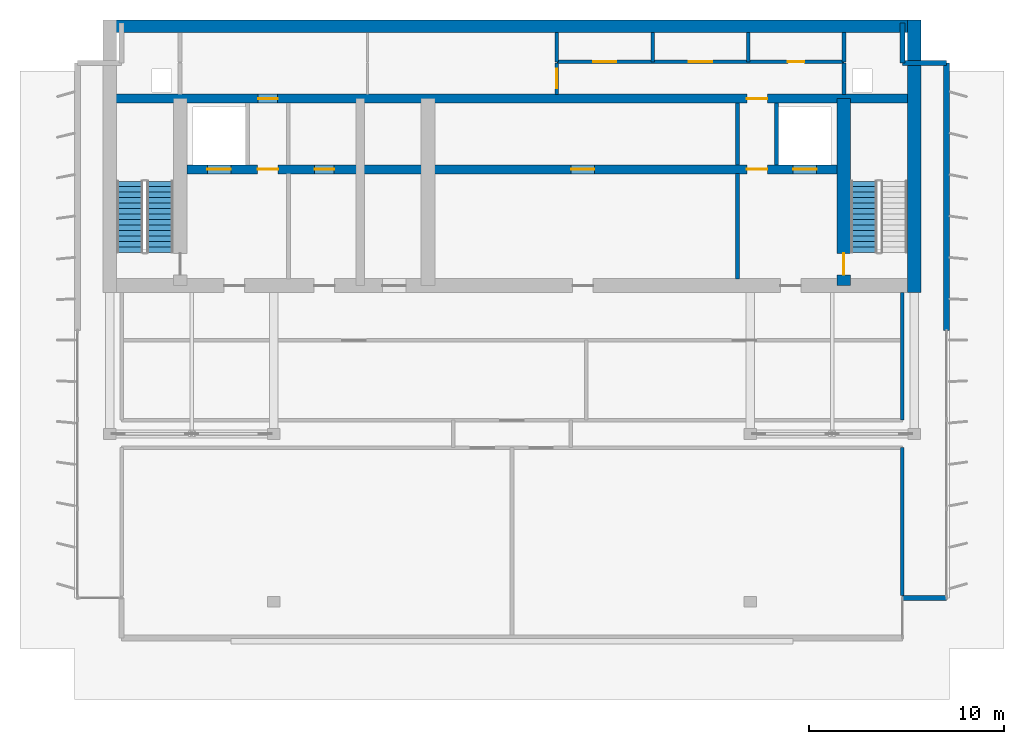
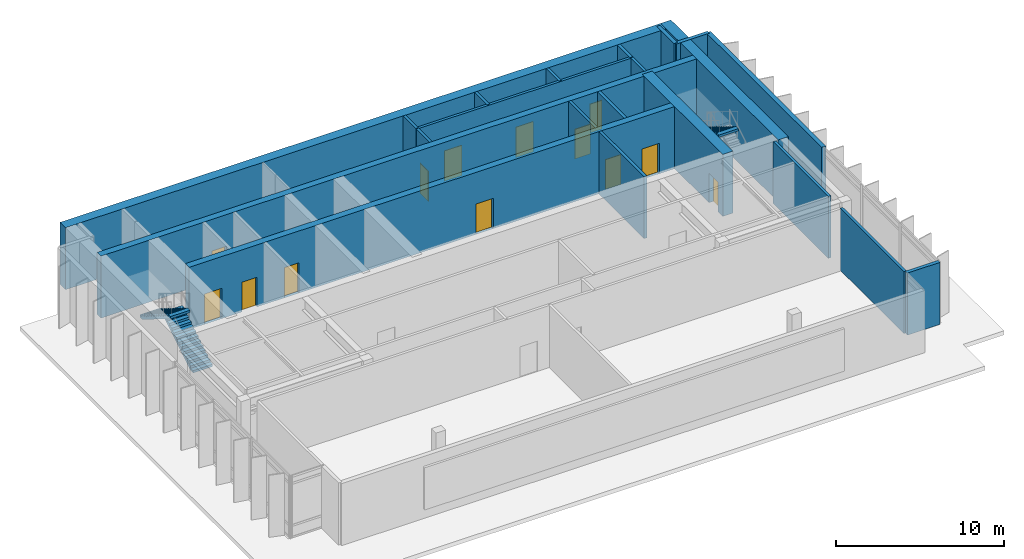
# One storey, part 6 of 10: 21 walls, 13 doors, 3 stair flights, 13 openings, 2 elements without a shape of their own.
"""IFC4 building model written with IfcOpenShell, lengths in metres."""

from ifc_helpers import new_model, si_unit, direction, frame, frame_2d, origin, place, context, subcontext, project, spatial, polyline, rectangle, outline, extrude, material, layer, layer_set, type_object, element, fill, aggregate, save


model = new_model("IFC4")

# Units and contexts
model_context = context("Model", 3, precision=1e-05, world=origin(), true_north=direction((0.0, 1.0)))
body_context = subcontext(model_context, "Body", "Model", "MODEL_VIEW")
ifc_project = project(units=[si_unit("LENGTHUNIT", "METRE"), si_unit("AREAUNIT", "SQUARE_METRE"), si_unit("VOLUMEUNIT", "CUBIC_METRE"), si_unit("PLANEANGLEUNIT", "RADIAN"), si_unit("MASSUNIT", "GRAM", prefix="KILO")], contexts=[model_context])

# Site, building, storey
site_placement = place(None, origin())
site = spatial("IfcSite", under=ifc_project, at=site_placement, CompositionType="ELEMENT")
building_placement = place(site_placement, origin())
building = spatial("IfcBuilding", under=site, at=building_placement, Name="Caelmar Bay Residences", CompositionType="ELEMENT")
storey_placement = place(building_placement, frame((0.0, 0.0, 295.60009765625)))
storey = spatial("IfcBuildingStorey", under=building, at=storey_placement, Name="L81", CompositionType="ELEMENT", Elevation=295.60009765625)

# Wall
ifc_material_1 = material(Name="Concrete f'c 55 MPa (8,000 psi)", Category="concrete")
ifc_layer_1 = layer(ifc_material_1, 0.699951171875)
ifc_layer_set_1 = layer_set([ifc_layer_1], Name="Concrete f'c 55 MPa (8,000 psi)")
wall_type_1 = type_object("IfcWallType", Name="SW-COR-700", PredefinedType="SHEAR", material=ifc_layer_set_1)
wall_1_placement = place(storey_placement, frame((59.5, 36.64990234375, 0.0), z_axis=(0.0, 0.0, 1.0), x_axis=(0.0, 1.0, 0.0)))
element("IfcWall", 1, at=wall_1_placement, inside=storey, type_object=wall_type_1, Name="L81 Rear Core East Shear Wall", PredefinedType="SHEAR", context=body_context, shape_type="SweptSolid", body=[
    extrude(rectangle(XDim=13.9501953125, YDim=0.699951171875, at=frame_2d((6.97509765625, 0.0))), origin(), (0.0, 0.0, 1.0), 4.5),
])

# Wall, opening, door
wall_2_placement = place(storey_placement, frame((55.89990234375, 37.0, 0.0), z_axis=(0.0, 0.0, 1.0), x_axis=(0.0, 1.0, 0.0)))
wall_2 = element("IfcWall", 2, at=wall_2_placement, inside=storey, type_object=wall_type_1, Name="L81 Core Structural Web Wall ST2W", PredefinedType="SHEAR", context=body_context, shape_type="SweptSolid", body=[
    extrude(rectangle(XDim=9.574951171875, YDim=0.699951171875, at=frame_2d((4.78759765625, 0.0))), origin(), (0.0, 0.0, 1.0), 4.5),
])
opening_1_placement = place(wall_2_placement, frame((0.550048828125, 0.0, 0.0)))
opening_1 = element("IfcOpeningElement", 3, at=opening_1_placement, cuts=wall_2, Name="Opening D-L81-108", PredefinedType="OPENING", context=body_context, shape_type="SweptSolid", body=[
    extrude(rectangle(XDim=1.10009765625, YDim=2.14990234375, at=frame_2d((0.550048828125, 1.074951171875))), frame((0.0, 0.35986328125, 0.0), z_axis=(0.0, -1.0, 0.0), x_axis=(1.0, 0.0, 0.0)), (0.0, 0.0, 1.0), 0.719970703125),
])
ifc_material_2 = material(Name="Fire-rated steel and walnut architectural door assembly", Category="steel")
ifc_layer_2 = layer(ifc_material_2, 0.050048828125)
ifc_layer_set_2 = layer_set([ifc_layer_2], Name="Fire-rated steel and walnut architectural door assembly")
door_type_1 = type_object("IfcDoorType", Name="D-STAIR-1100", OperationType="NOTDEFINED", PredefinedType="DOOR", material=ifc_layer_set_2)
door_1_placement = place(opening_1_placement, origin())
door_1 = element("IfcDoor", 4, at=door_1_placement, inside=storey, type_object=door_type_1, Name="L81 Firefighting Lobby East Door", OperationType="SINGLE_SWING_LEFT", OverallHeight=2.14990234375, OverallWidth=1.10009765625, PredefinedType="DOOR", context=body_context, shape_type="SweptSolid", body=[
    extrude(rectangle(XDim=1.10009765625, YDim=2.14990234375, at=frame_2d((0.550048828125, 1.074951171875))), frame((0.0, 0.02490234375, 0.0), z_axis=(0.0, -1.0, 0.0), x_axis=(1.0, 0.0, 0.0)), (0.0, 0.0, 1.0), 0.050048828125),
])
fill(opening_1, door_1)

# Wall
ifc_layer_3 = layer(ifc_material_1, 0.64990234375)
ifc_layer_set_3 = layer_set([ifc_layer_3], Name="Concrete f'c 55 MPa (8,000 psi)")
wall_type_2 = type_object("IfcWallType", Name="SW-CORN-650", PredefinedType="SHEAR", material=ifc_layer_set_3)
wall_3_placement = place(storey_placement, frame((17.949951171875, 50.27490234375, 0.0), z_axis=(0.0, 0.0, 1.0), x_axis=(1.0, 0.0, 0.0)))
element("IfcWall", 5, at=wall_3_placement, inside=storey, type_object=wall_type_2, Name="L81 Rear Core North Shear Wall", PredefinedType="SHEAR", context=body_context, shape_type="SweptSolid", body=[
    extrude(rectangle(XDim=41.900146484375, YDim=0.64990234375, at=frame_2d((20.9501953125, 0.0))), origin(), (0.0, 0.0, 1.0), 4.5),
])

# Wall, openings, doors
ifc_material_3 = material(Name="Concrete f'c 70 MPa (10,000 psi)", Category="concrete")
ifc_layer_4 = layer(ifc_material_3, 0.449951171875)
ifc_layer_set_4 = layer_set([ifc_layer_4], Name="Concrete f'c 70 MPa (10,000 psi)")
wall_type_3 = type_object("IfcWallType", Name="SW-WEB-450", PredefinedType="SHEAR", material=ifc_layer_set_4)
wall_4_placement = place(storey_placement, frame((22.25, 42.949951171875, 0.0), z_axis=(0.0, 0.0, 1.0), x_axis=(1.0, 0.0, 0.0)))
wall_4 = element("IfcWall", 6, at=wall_4_placement, inside=storey, type_object=wall_type_3, Name="L81 Core Structural Web Wall LFR", PredefinedType="SHEAR", context=body_context, shape_type="SweptSolid", body=[
    extrude(rectangle(XDim=33.300048828125, YDim=0.449951171875, at=frame_2d((16.64990234375, 0.0))), origin(), (0.0, 0.0, 1.0), 4.5),
])
opening_2_placement = place(wall_4_placement, frame((1.050048828125, 0.0, 0.0)))
opening_2 = element("IfcOpeningElement", 7, at=opening_2_placement, cuts=wall_4, Name="Opening LD2", PredefinedType="OPENING", context=body_context, shape_type="SweptSolid", body=[
    extrude(rectangle(XDim=1.199951171875, YDim=2.199951171875, at=frame_2d((0.60009765625, 1.10009765625))), frame((0.0, 0.23486328125, 0.0), z_axis=(0.0, -1.0, 0.0), x_axis=(1.0, 0.0, 0.0)), (0.0, 0.0, 1.0), 0.469970703125),
])
opening_3_placement = place(wall_4_placement, frame((31.050048828125, 0.0, 0.0)))
opening_3 = element("IfcOpeningElement", 8, at=opening_3_placement, cuts=wall_4, Name="Opening LD2", PredefinedType="OPENING", context=body_context, shape_type="SweptSolid", body=[
    extrude(rectangle(XDim=1.199951171875, YDim=2.199951171875, at=frame_2d((0.60009765625, 1.10009765625))), frame((0.0, 0.23486328125, 0.0), z_axis=(0.0, -1.0, 0.0), x_axis=(1.0, 0.0, 0.0)), (0.0, 0.0, 1.0), 0.469970703125),
])
opening_4_placement = place(wall_4_placement, frame((3.625, 0.0, 0.0)))
opening_4 = element("IfcOpeningElement", 9, at=opening_4_placement, cuts=wall_4, Name="Opening D-L81-106", PredefinedType="OPENING", context=body_context, shape_type="SweptSolid", body=[
    extrude(rectangle(XDim=1.050048828125, YDim=2.14990234375, at=frame_2d((0.52490234375, 1.074951171875))), frame((0.0, 0.23486328125, 0.0), z_axis=(0.0, -1.0, 0.0), x_axis=(1.0, 0.0, 0.0)), (0.0, 0.0, 1.0), 0.469970703125),
])
opening_5_placement = place(wall_4_placement, frame((28.675048828125, 0.0, 0.0)))
opening_5 = element("IfcOpeningElement", 10, at=opening_5_placement, cuts=wall_4, Name="Opening D-L81-109", PredefinedType="OPENING", context=body_context, shape_type="SweptSolid", body=[
    extrude(rectangle(XDim=1.050048828125, YDim=2.14990234375, at=frame_2d((0.52490234375, 1.074951171875))), frame((0.0, 0.23486328125, 0.0), z_axis=(0.0, -1.0, 0.0), x_axis=(1.0, 0.0, 0.0)), (0.0, 0.0, 1.0), 0.469970703125),
])
opening_6_placement = place(wall_4_placement, frame((6.53759765625, 0.0, 0.0)))
opening_6 = element("IfcOpeningElement", 11, at=opening_6_placement, cuts=wall_4, Name="Opening D-L81-111", PredefinedType="OPENING", context=body_context, shape_type="SweptSolid", body=[
    extrude(rectangle(XDim=1.0, YDim=2.199951171875, at=frame_2d((0.5, 1.10009765625))), frame((0.0, 0.23486328125, 0.0), z_axis=(0.0, -1.0, 0.0), x_axis=(1.0, 0.0, 0.0)), (0.0, 0.0, 1.0), 0.469970703125),
])
opening_7_placement = place(wall_4_placement, frame((19.675048828125, 0.0, 0.0)))
opening_7 = element("IfcOpeningElement", 12, at=opening_7_placement, cuts=wall_4, Name="Opening D-L81-113", PredefinedType="OPENING", context=body_context, shape_type="SweptSolid", body=[
    extrude(rectangle(XDim=1.199951171875, YDim=2.199951171875, at=frame_2d((0.60009765625, 1.10009765625))), frame((0.0, 0.23486328125, 0.0), z_axis=(0.0, -1.0, 0.0), x_axis=(1.0, 0.0, 0.0)), (0.0, 0.0, 1.0), 0.469970703125),
])
ifc_layer_5 = layer(ifc_material_2, 0.050048828125)
ifc_layer_set_5 = layer_set([ifc_layer_5], Name="Fire-rated steel and walnut architectural door assembly")
door_type_2 = type_object("IfcDoorType", Name="D-FSAE-1050", OperationType="NOTDEFINED", PredefinedType="DOOR", material=ifc_layer_set_5)
door_2_placement = place(opening_4_placement, origin())
door_2 = element("IfcDoor", 13, at=door_2_placement, inside=storey, type_object=door_type_2, Name="L81 Firefighting Lobby West Door", OperationType="SINGLE_SWING_LEFT", OverallHeight=2.14990234375, OverallWidth=1.050048828125, PredefinedType="DOOR", context=body_context, shape_type="SweptSolid", body=[
    extrude(rectangle(XDim=1.050048828125, YDim=2.14990234375, at=frame_2d((0.52490234375, 1.074951171875))), frame((0.0, 0.02490234375, 0.0), z_axis=(0.0, -1.0, 0.0), x_axis=(1.0, 0.0, 0.0)), (0.0, 0.0, 1.0), 0.050048828125),
])
fill(opening_4, door_2)
door_3_placement = place(opening_5_placement, origin())
door_3 = element("IfcDoor", 14, at=door_3_placement, inside=storey, type_object=door_type_2, Name="L81 Firefighting Lobby East Door", OperationType="SINGLE_SWING_RIGHT", OverallHeight=2.14990234375, OverallWidth=1.050048828125, PredefinedType="DOOR", context=body_context, shape_type="SweptSolid", body=[
    extrude(rectangle(XDim=1.050048828125, YDim=2.14990234375, at=frame_2d((0.52490234375, 1.074951171875))), frame((0.0, 0.02490234375, 0.0), z_axis=(0.0, -1.0, 0.0), x_axis=(1.0, 0.0, 0.0)), (0.0, 0.0, 1.0), 0.050048828125),
])
fill(opening_5, door_3)
ifc_material_4 = material(Name="Brushed stainless-steel FSAE sliding landing door", Category="steel")
ifc_layer_6 = layer(ifc_material_4, 0.050048828125)
ifc_layer_set_6 = layer_set([ifc_layer_6], Name="Brushed stainless-steel FSAE sliding landing door")
door_type_3 = type_object("IfcDoorType", Name="D-LND-1200", OperationType="DOUBLE_DOOR_SLIDING", PredefinedType="DOOR", material=ifc_layer_set_6)
door_4_placement = place(opening_2_placement, origin())
door_4 = element("IfcDoor", 15, at=door_4_placement, inside=storey, type_object=door_type_3, Name="L81 LF1 Sliding Landing Door", OperationType="DOUBLE_DOOR_SLIDING", OverallHeight=2.199951171875, OverallWidth=1.199951171875, PredefinedType="DOOR", context=body_context, shape_type="SweptSolid", body=[
    extrude(rectangle(XDim=1.199951171875, YDim=2.199951171875, at=frame_2d((0.60009765625, 1.10009765625))), frame((0.0, 0.02490234375, 0.0), z_axis=(0.0, -1.0, 0.0), x_axis=(1.0, 0.0, 0.0)), (0.0, 0.0, 1.0), 0.050048828125),
])
fill(opening_2, door_4)
door_5_placement = place(opening_3_placement, origin())
door_5 = element("IfcDoor", 16, at=door_5_placement, inside=storey, type_object=door_type_3, Name="L81 LF2 Sliding Landing Door", OperationType="DOUBLE_DOOR_SLIDING", OverallHeight=2.199951171875, OverallWidth=1.199951171875, PredefinedType="DOOR", context=body_context, shape_type="SweptSolid", body=[
    extrude(rectangle(XDim=1.199951171875, YDim=2.199951171875, at=frame_2d((0.60009765625, 1.10009765625))), frame((0.0, 0.02490234375, 0.0), z_axis=(0.0, -1.0, 0.0), x_axis=(1.0, 0.0, 0.0)), (0.0, 0.0, 1.0), 0.050048828125),
])
fill(opening_3, door_5)
ifc_layer_7 = layer(ifc_material_2, 0.050048828125)
ifc_layer_set_7 = layer_set([ifc_layer_7], Name="Fire-rated steel and walnut architectural door assembly")
door_type_4 = type_object("IfcDoorType", Name="D-PLANT-1200", OperationType="NOTDEFINED", PredefinedType="DOOR", material=ifc_layer_set_7)
door_6_placement = place(opening_7_placement, origin())
door_6 = element("IfcDoor", 17, at=door_6_placement, inside=storey, type_object=door_type_4, Name="L81 Lift Machine Plant Room Door", OperationType="SINGLE_SWING_RIGHT", OverallHeight=2.199951171875, OverallWidth=1.199951171875, PredefinedType="DOOR", context=body_context, shape_type="SweptSolid", body=[
    extrude(rectangle(XDim=1.199951171875, YDim=2.199951171875, at=frame_2d((0.60009765625, 1.10009765625))), frame((0.0, 0.02490234375, 0.0), z_axis=(0.0, -1.0, 0.0), x_axis=(1.0, 0.0, 0.0)), (0.0, 0.0, 1.0), 0.050048828125),
])
fill(opening_7, door_6)
ifc_layer_8 = layer(ifc_material_2, 0.050048828125)
ifc_layer_set_8 = layer_set([ifc_layer_8], Name="Fire-rated steel and walnut architectural door assembly")
door_type_5 = type_object("IfcDoorType", Name="D-UNIT-1000", OperationType="NOTDEFINED", PredefinedType="DOOR", material=ifc_layer_set_8)
door_7_placement = place(opening_6_placement, origin())
door_7 = element("IfcDoor", 18, at=door_7_placement, inside=storey, type_object=door_type_5, Name="L81 Core Equipment Closet Door", OperationType="SINGLE_SWING_RIGHT", OverallHeight=2.199951171875, OverallWidth=1.0, PredefinedType="DOOR", context=body_context, shape_type="SweptSolid", body=[
    extrude(rectangle(XDim=1.0, YDim=2.199951171875, at=frame_2d((0.5, 1.10009765625))), frame((0.0, 0.02490234375, 0.0), z_axis=(0.0, -1.0, 0.0), x_axis=(1.0, 0.0, 0.0)), (0.0, 0.0, 1.0), 0.050048828125),
])
fill(opening_6, door_7)

wall_5_placement = place(storey_placement, frame((18.300048828125, 46.574951171875, 0.0), z_axis=(0.0, 0.0, 1.0), x_axis=(1.0, 0.0, 0.0)))
wall_5 = element("IfcWall", 19, at=wall_5_placement, inside=storey, type_object=wall_type_3, Name="L81 Core Structural Web Wall SRVS", PredefinedType="SHEAR", context=body_context, shape_type="SweptSolid", body=[
    extrude(rectangle(XDim=41.199951171875, YDim=0.449951171875, at=frame_2d((20.60009765625, 0.0))), origin(), (0.0, 0.0, 1.0), 4.5),
])
opening_8_placement = place(wall_5_placement, frame((7.60009765625, 0.0, 0.0)))
opening_8 = element("IfcOpeningElement", 20, at=opening_8_placement, cuts=wall_5, Name="Opening D-L81-114", PredefinedType="OPENING", context=body_context, shape_type="SweptSolid", body=[
    extrude(rectangle(XDim=1.0, YDim=2.199951171875, at=frame_2d((0.5, 1.10009765625))), frame((0.0, 0.23486328125, 0.0), z_axis=(0.0, -1.0, 0.0), x_axis=(1.0, 0.0, 0.0)), (0.0, 0.0, 1.0), 0.469970703125),
])
opening_9_placement = place(wall_5_placement, frame((32.625, 0.0, 0.0)))
opening_9 = element("IfcOpeningElement", 21, at=opening_9_placement, cuts=wall_5, Name="Opening D-L81-115", PredefinedType="OPENING", context=body_context, shape_type="SweptSolid", body=[
    extrude(rectangle(XDim=1.050048828125, YDim=2.14990234375, at=frame_2d((0.52490234375, 1.074951171875))), frame((0.0, 0.23486328125, 0.0), z_axis=(0.0, -1.0, 0.0), x_axis=(1.0, 0.0, 0.0)), (0.0, 0.0, 1.0), 0.469970703125),
])
door_8_placement = place(opening_9_placement, origin())
door_8 = element("IfcDoor", 22, at=door_8_placement, inside=storey, type_object=door_type_2, Name="L81 East Core Service Corridor Door", OperationType="SINGLE_SWING_RIGHT", OverallHeight=2.14990234375, OverallWidth=1.050048828125, PredefinedType="DOOR", context=body_context, shape_type="SweptSolid", body=[
    extrude(rectangle(XDim=1.050048828125, YDim=2.14990234375, at=frame_2d((0.52490234375, 1.074951171875))), frame((0.0, 0.02490234375, 0.0), z_axis=(0.0, -1.0, 0.0), x_axis=(1.0, 0.0, 0.0)), (0.0, 0.0, 1.0), 0.050048828125),
])
fill(opening_9, door_8)
door_9_placement = place(opening_8_placement, origin())
door_9 = element("IfcDoor", 23, at=door_9_placement, inside=storey, type_object=door_type_5, Name="L81 Package Concierge Office Door", OperationType="SINGLE_SWING_LEFT", OverallHeight=2.199951171875, OverallWidth=1.0, PredefinedType="DOOR", context=body_context, shape_type="SweptSolid", body=[
    extrude(rectangle(XDim=1.0, YDim=2.199951171875, at=frame_2d((0.5, 1.10009765625))), frame((0.0, 0.02490234375, 0.0), z_axis=(0.0, -1.0, 0.0), x_axis=(1.0, 0.0, 0.0)), (0.0, 0.0, 1.0), 0.050048828125),
])
fill(opening_8, door_9)

# Wall, opening, door
ifc_material_5 = material(Name="Double-stud acoustic fire-rated gypsum partition 180 mm")
ifc_layer_9 = layer(ifc_material_5, 0.179931640625)
ifc_layer_set_9 = layer_set([ifc_layer_9], Name="Double-stud acoustic fire-rated gypsum partition 180 mm")
wall_type_4 = type_object("IfcWallType", Name="W-COR-200", PredefinedType="PARTITIONING", material=ifc_layer_set_9)
wall_6_placement = place(storey_placement, frame((41.199951171875, 46.794921875, 0.0), z_axis=(0.0, 0.0, 1.0), x_axis=(0.0, 1.0, 0.0)))
wall_6 = element("IfcWall", 24, at=wall_6_placement, inside=storey, type_object=wall_type_4, Name="L81 Partition Wall V012", PredefinedType="PARTITIONING", context=body_context, shape_type="SweptSolid", body=[
    extrude(rectangle(XDim=1.60498046875, YDim=0.179931640625, at=frame_2d((0.802490234375, 0.0))), origin(), (0.0, 0.0, 1.0), 4.5),
])
opening_10_placement = place(wall_6_placement, frame((0.302490234375, 0.0, 0.0)))
opening_10 = element("IfcOpeningElement", 25, at=opening_10_placement, cuts=wall_6, Name="Opening D-L81-116", PredefinedType="OPENING", context=body_context, shape_type="SweptSolid", body=[
    extrude(rectangle(XDim=1.0, YDim=2.199951171875, at=frame_2d((0.5, 1.10009765625))), frame((0.0, 0.099853515625, 0.0), z_axis=(0.0, -1.0, 0.0), x_axis=(1.0, 0.0, 0.0)), (0.0, 0.0, 1.0), 0.199951171875),
])
door_10_placement = place(opening_10_placement, origin())
door_10 = element("IfcDoor", 26, at=door_10_placement, inside=storey, type_object=door_type_5, Name="L81 Engineering Control Office Door", OperationType="SINGLE_SWING_LEFT", OverallHeight=2.199951171875, OverallWidth=1.0, PredefinedType="DOOR", context=body_context, shape_type="SweptSolid", body=[
    extrude(rectangle(XDim=1.0, YDim=2.199951171875, at=frame_2d((0.5, 1.10009765625))), frame((0.0, 0.02490234375, 0.0), z_axis=(0.0, -1.0, 0.0), x_axis=(1.0, 0.0, 0.0)), (0.0, 0.0, 1.0), 0.050048828125),
])
fill(opening_10, door_10)

# Walls
for number, where, z_axis, x_axis, name in (
    (27, (41.199951171875, 48.449951171875, 0.0), (0.0, 0.0, 1.0), (0.0, 1.0, 0.0), "L81 Partition Wall V013"),
    (28, (46.10009765625, 48.449951171875, 0.0), (0.0, 0.0, 1.0), (0.0, 1.0, 0.0), "L81 Partition Wall V016"),
):
    element("IfcWall", number, at=place(storey_placement, frame(where, z_axis=z_axis, x_axis=x_axis)), inside=storey, type_object=wall_type_4, Name=name, PredefinedType="PARTITIONING", context=body_context, shape_type="SweptSolid", body=[
        extrude(rectangle(XDim=1.505126953125, YDim=0.179931640625, at=frame_2d((0.75244140625, 0.0))), origin(), (0.0, 0.0, 1.0), 4.5),
    ])
wall_7_placement = place(storey_placement, frame((50.449951171875, 43.169921875, 0.0), z_axis=(0.0, 0.0, 1.0), x_axis=(0.0, 1.0, 0.0)))
element("IfcWall", 29, at=wall_7_placement, inside=storey, type_object=wall_type_4, Name="L81 Partition Wall V018", PredefinedType="PARTITIONING", context=body_context, shape_type="SweptSolid", body=[
    extrude(rectangle(XDim=3.18505859375, YDim=0.179931640625, at=frame_2d((1.592529296875, 0.0))), origin(), (0.0, 0.0, 1.0), 4.5),
])
wall_8_placement = place(storey_placement, frame((51.0, 48.449951171875, 0.0), z_axis=(0.0, 0.0, 1.0), x_axis=(0.0, 1.0, 0.0)))
element("IfcWall", 30, at=wall_8_placement, inside=storey, type_object=wall_type_4, Name="L81 Partition Wall V019", PredefinedType="PARTITIONING", context=body_context, shape_type="SweptSolid", body=[
    extrude(rectangle(XDim=1.505126953125, YDim=0.179931640625, at=frame_2d((0.75244140625, 0.0))), origin(), (0.0, 0.0, 1.0), 4.5),
])
wall_9_placement = place(storey_placement, frame((58.89990234375, 21.1201171875, 0.0), z_axis=(0.0, 0.0, 1.0), x_axis=(0.0, 1.0, 0.0)))
element("IfcWall", 31, at=wall_9_placement, inside=storey, type_object=wall_type_4, Name="L81 Partition Wall V023", PredefinedType="PARTITIONING", context=body_context, shape_type="SweptSolid", body=[
    extrude(rectangle(XDim=7.579833984375, YDim=0.179931640625, at=frame_2d((3.7900390625, 0.0))), origin(), (0.0, 0.0, 1.0), 4.5),
])
wall_10_placement = place(storey_placement, frame((58.89990234375, 30.10009765625, 0.0), z_axis=(0.0, 0.0, 1.0), x_axis=(0.0, 1.0, 0.0)))
element("IfcWall", 32, at=wall_10_placement, inside=storey, type_object=wall_type_4, Name="L81 Partition Wall V024", PredefinedType="PARTITIONING", context=body_context, shape_type="SweptSolid", body=[
    extrude(rectangle(XDim=6.554931640625, YDim=0.179931640625, at=frame_2d((3.27734375, 0.0))), origin(), (0.0, 0.0, 1.0), 4.5),
])

# Wall, openings, doors
wall_11_placement = place(storey_placement, frame((41.199951171875, 48.449951171875, 0.0), z_axis=(0.0, 0.0, 1.0), x_axis=(1.0, 0.0, 0.0)))
wall_11 = element("IfcWall", 33, at=wall_11_placement, inside=storey, type_object=wall_type_4, Name="L81 Partition Wall H028", PredefinedType="PARTITIONING", context=body_context, shape_type="SweptSolid", body=[
    extrude(rectangle(XDim=14.699951171875, YDim=0.179931640625, at=frame_2d((7.35009765625, 0.0))), origin(), (0.0, 0.0, 1.0), 4.5),
])
opening_11_placement = place(wall_11_placement, frame((1.85009765625, 0.0, 0.0)))
opening_11 = element("IfcOpeningElement", 34, at=opening_11_placement, cuts=wall_11, Name="Opening D-L81-117", PredefinedType="OPENING", context=body_context, shape_type="SweptSolid", body=[
    extrude(rectangle(XDim=1.199951171875, YDim=2.199951171875, at=frame_2d((0.60009765625, 1.10009765625))), frame((0.0, 0.099853515625, 0.0), z_axis=(0.0, -1.0, 0.0), x_axis=(1.0, 0.0, 0.0)), (0.0, 0.0, 1.0), 0.199951171875),
])
opening_12_placement = place(wall_11_placement, frame((6.75, 0.0, 0.0)))
opening_12 = element("IfcOpeningElement", 35, at=opening_12_placement, cuts=wall_11, Name="Opening D-L81-118", PredefinedType="OPENING", context=body_context, shape_type="SweptSolid", body=[
    extrude(rectangle(XDim=1.199951171875, YDim=2.199951171875, at=frame_2d((0.60009765625, 1.10009765625))), frame((0.0, 0.099853515625, 0.0), z_axis=(0.0, -1.0, 0.0), x_axis=(1.0, 0.0, 0.0)), (0.0, 0.0, 1.0), 0.199951171875),
])
opening_13_placement = place(wall_11_placement, frame((11.824951171875, 0.0, 0.0)))
opening_13 = element("IfcOpeningElement", 36, at=opening_13_placement, cuts=wall_11, Name="Opening D-L81-119", PredefinedType="OPENING", context=body_context, shape_type="SweptSolid", body=[
    extrude(rectangle(XDim=0.85009765625, YDim=2.10009765625, at=frame_2d((0.425048828125, 1.050048828125))), frame((0.0, 0.099853515625, 0.0), z_axis=(0.0, -1.0, 0.0), x_axis=(1.0, 0.0, 0.0)), (0.0, 0.0, 1.0), 0.199951171875),
])
ifc_layer_10 = layer(ifc_material_2, 0.050048828125)
ifc_layer_set_10 = layer_set([ifc_layer_10], Name="Fire-rated steel and walnut architectural door assembly")
door_type_6 = type_object("IfcDoorType", Name="D-CORE-850", OperationType="NOTDEFINED", PredefinedType="DOOR", material=ifc_layer_set_10)
door_11_placement = place(opening_13_placement, origin())
door_11 = element("IfcDoor", 37, at=door_11_placement, inside=storey, type_object=door_type_6, Name="L81 Accessible Staff WC Door", OperationType="SINGLE_SWING_RIGHT", OverallHeight=2.10009765625, OverallWidth=0.85009765625, PredefinedType="DOOR", context=body_context, shape_type="SweptSolid", body=[
    extrude(rectangle(XDim=0.85009765625, YDim=2.10009765625, at=frame_2d((0.425048828125, 1.050048828125))), frame((0.0, 0.02490234375, 0.0), z_axis=(0.0, -1.0, 0.0), x_axis=(1.0, 0.0, 0.0)), (0.0, 0.0, 1.0), 0.050048828125),
])
fill(opening_13, door_11)
door_12_placement = place(opening_11_placement, origin())
door_12 = element("IfcDoor", 38, at=door_12_placement, inside=storey, type_object=door_type_4, Name="L81 Electrical Closet Door", OperationType="SINGLE_SWING_RIGHT", OverallHeight=2.199951171875, OverallWidth=1.199951171875, PredefinedType="DOOR", context=body_context, shape_type="SweptSolid", body=[
    extrude(rectangle(XDim=1.199951171875, YDim=2.199951171875, at=frame_2d((0.60009765625, 1.10009765625))), frame((0.0, 0.02490234375, 0.0), z_axis=(0.0, -1.0, 0.0), x_axis=(1.0, 0.0, 0.0)), (0.0, 0.0, 1.0), 0.050048828125),
])
fill(opening_11, door_12)
door_13_placement = place(opening_12_placement, origin())
door_13 = element("IfcDoor", 39, at=door_13_placement, inside=storey, type_object=door_type_4, Name="L81 Housekeeping Linen Closet Door", OperationType="SINGLE_SWING_LEFT", OverallHeight=2.199951171875, OverallWidth=1.199951171875, PredefinedType="DOOR", context=body_context, shape_type="SweptSolid", body=[
    extrude(rectangle(XDim=1.199951171875, YDim=2.199951171875, at=frame_2d((0.60009765625, 1.10009765625))), frame((0.0, 0.02490234375, 0.0), z_axis=(0.0, -1.0, 0.0), x_axis=(1.0, 0.0, 0.0)), (0.0, 0.0, 1.0), 0.050048828125),
])
fill(opening_12, door_13)

# Walls
ifc_material_6 = material(Name="Precast concrete f'c 40 MPa (6,000 psi)", Category="concrete")
ifc_layer_11 = layer(ifc_material_6, 0.25)
ifc_layer_set_11 = layer_set([ifc_layer_11], Name="Precast concrete f'c 40 MPa (6,000 psi)")
wall_type_5 = type_object("IfcWallType", Name="W-EXT-250", PredefinedType="ELEMENTEDWALL", material=ifc_layer_set_11)
wall_12_placement = place(storey_placement, frame((58.89990234375, 21.0, 0.0), z_axis=(0.0, 0.0, 1.0), x_axis=(1.0, 0.0, 0.0)))
element("IfcWall", 40, at=wall_12_placement, inside=storey, type_object=wall_type_5, Name="L81 SE Notch Return Wall", PredefinedType="ELEMENTEDWALL", context=body_context, shape_type="SweptSolid", body=[
    extrude(rectangle(XDim=2.25, YDim=0.25, at=frame_2d((1.125, 0.0))), origin(), (0.0, 0.0, 1.0), 4.5),
])
wall_13_placement = place(storey_placement, frame((58.89990234375, 50.449951171875, 0.0), z_axis=(0.0, 0.0, 1.0), x_axis=(0.0, -1.0, 0.0)))
element("IfcWall", 41, at=wall_13_placement, inside=storey, type_object=wall_type_5, Name="L81 NNE-V Notch Wall", PredefinedType="ELEMENTEDWALL", context=body_context, shape_type="SweptSolid", body=[
    extrude(rectangle(XDim=2.050048828125, YDim=0.25, at=frame_2d((1.02490234375, 0.0))), origin(), (0.0, 0.0, 1.0), 4.5),
])
wall_14_placement = place(storey_placement, frame((58.89990234375, 48.39990234375, 0.0), z_axis=(0.0, 0.0, 1.0), x_axis=(1.0, 0.0, 0.0)))
element("IfcWall", 42, at=wall_14_placement, inside=storey, type_object=wall_type_5, Name="L81 NNE-H Notch Wall", PredefinedType="ELEMENTEDWALL", context=body_context, shape_type="SweptSolid", body=[
    extrude(rectangle(XDim=2.25, YDim=0.25, at=frame_2d((1.125, 0.0))), origin(), (0.0, 0.0, 1.0), 4.5),
])
ifc_layer_12 = layer(ifc_material_6, 0.300048828125)
ifc_layer_set_12 = layer_set([ifc_layer_12], Name="Precast concrete f'c 40 MPa (6,000 psi)")
wall_type_6 = type_object("IfcWallType", Name="W-EXT-300", PredefinedType="STANDARD", material=ifc_layer_set_12)
wall_15_placement = place(storey_placement, frame((61.14990234375, 48.39990234375, 0.0), z_axis=(0.0, 0.0, 1.0), x_axis=(0.0, -1.0, 0.0)))
element("IfcWall", 43, at=wall_15_placement, inside=storey, type_object=wall_type_6, Name="L81 East Rear Exterior Wall", PredefinedType="STANDARD", context=body_context, shape_type="SweptSolid", body=[
    extrude(rectangle(XDim=13.699951171875, YDim=0.300048828125, at=frame_2d((6.85009765625, 0.0))), origin(), (0.0, 0.0, 1.0), 4.5),
])
ifc_material_7 = material(Name="Fire-rated masonry and gypsum shaftliner assembly 200 mm", Category="masonry")
ifc_layer_13 = layer(ifc_material_7, 0.199951171875)
ifc_layer_set_13 = layer_set([ifc_layer_13], Name="Fire-rated masonry and gypsum shaftliner assembly 200 mm")
wall_type_7 = type_object("IfcWallType", Name="W-FSAE-200", PredefinedType="PARTITIONING", material=ifc_layer_set_13)
wall_16_placement = place(storey_placement, frame((50.449951171875, 37.344970703125, 0.0), z_axis=(0.0, 0.0, 1.0), x_axis=(0.0, 1.0, 0.0)))
element("IfcWall", 44, at=wall_16_placement, inside=storey, type_object=wall_type_7, Name="L81 Partition Wall V017", PredefinedType="PARTITIONING", context=body_context, shape_type="SweptSolid", body=[
    extrude(rectangle(XDim=5.385009765625, YDim=0.199951171875, at=frame_2d((2.6923828125, 0.0))), origin(), (0.0, 0.0, 1.0), 4.5),
])
wall_17_placement = place(storey_placement, frame((52.449951171875, 43.169921875, 0.0), z_axis=(0.0, 0.0, 1.0), x_axis=(0.0, 1.0, 0.0)))
element("IfcWall", 45, at=wall_17_placement, inside=storey, type_object=wall_type_7, Name="L81 Partition Wall V020", PredefinedType="PARTITIONING", context=body_context, shape_type="SweptSolid", body=[
    extrude(rectangle(XDim=3.18505859375, YDim=0.199951171875, at=frame_2d((1.592529296875, 0.0))), origin(), (0.0, 0.0, 1.0), 4.5),
])
wall_18_placement = place(storey_placement, frame((55.89990234375, 46.794921875, 0.0), z_axis=(0.0, 0.0, 1.0), x_axis=(0.0, 1.0, 0.0)))
element("IfcWall", 46, at=wall_18_placement, inside=storey, type_object=wall_type_7, Name="L81 Partition Wall V021", PredefinedType="PARTITIONING", context=body_context, shape_type="SweptSolid", body=[
    extrude(rectangle(XDim=1.60498046875, YDim=0.199951171875, at=frame_2d((0.802490234375, 0.0))), origin(), (0.0, 0.0, 1.0), 4.5),
])
wall_19_placement = place(storey_placement, frame((55.89990234375, 48.449951171875, 0.0), z_axis=(0.0, 0.0, 1.0), x_axis=(0.0, 1.0, 0.0)))
element("IfcWall", 47, at=wall_19_placement, inside=storey, type_object=wall_type_7, Name="L81 Partition Wall V022", PredefinedType="PARTITIONING", context=body_context, shape_type="SweptSolid", body=[
    extrude(rectangle(XDim=1.505126953125, YDim=0.199951171875, at=frame_2d((0.75244140625, 0.0))), origin(), (0.0, 0.0, 1.0), 4.5),
])

# Stair, stair flights
ifc_material_8 = material(Name="Concrete f'c 40 MPa (6,000 psi)", Category="concrete")
stair_type = type_object("IfcStairType", Name="ST-TAL-170", PredefinedType="HALF_TURN_STAIR", material=ifc_material_8)
stair_1_placement = place(storey_placement, origin())
stair_1 = element("IfcStair", 48, at=stair_1_placement, inside=storey, type_object=stair_type, Name="L81 West Smokeproof Exit Stair ST1", PredefinedType="HALF_TURN_STAIR")
stair_flight_type = type_object("IfcStairFlightType", Name="STF-1400", PredefinedType="STRAIGHT", material=ifc_material_6)
stair_flight_1_placement = place(storey_placement, frame((20.875, 38.699951171875, 0.0), z_axis=(0.0, 0.0, 1.0), x_axis=(0.0, 1.0, 0.0)))
stair_flight_1 = element("IfcStairFlight", 49, at=stair_flight_1_placement, type_object=stair_flight_type, Name="ST1 flight 1", NumberOfRisers=14, NumberOfTreads=13, PredefinedType="STRAIGHT", RiserHeight=0.171428571, TreadLength=0.28, context=body_context, shape_type="SweptSolid", body=[
    extrude(outline(polyline([(0.0, 0.0), (0.0, 0.17138671875), (0.280029296875, 0.17138671875), (0.280029296875, 0.3427734375), (0.56005859375, 0.3427734375), (0.56005859375, 0.514404296875), (0.840087890625, 0.514404296875), (0.840087890625, 0.685791015625), (1.1201171875, 0.685791015625), (1.1201171875, 0.857177734375), (1.39990234375, 0.857177734375), (1.39990234375, 1.028564453125), (1.679931640625, 1.028564453125), (1.679931640625, 1.199951171875), (1.9599609375, 1.199951171875), (1.9599609375, 1.371337890625), (2.239990234375, 1.371337890625), (2.239990234375, 1.54296875), (2.52001953125, 1.54296875), (2.52001953125, 1.71435546875), (2.800048828125, 1.71435546875), (2.800048828125, 1.8857421875), (3.080078125, 1.8857421875), (3.080078125, 2.05712890625), (3.360107421875, 2.05712890625), (3.360107421875, 2.228515625), (3.639892578125, 2.228515625), (3.639892578125, 2.39990234375), (3.639892578125, 2.052734375), (0.287109375, 0.0), (0.0, 0.0)])), frame((0.0, 0.675048828125, 0.0), z_axis=(0.0, -1.0, 0.0), x_axis=(1.0, 0.0, 0.0)), (0.0, 0.0, 1.0), 1.35009765625),
])
stair_flight_2_placement = place(storey_placement, frame((19.324951171875, 42.340087890625, 2.39990234375), z_axis=(0.0, 0.0, 1.0), x_axis=(0.0, -1.0, 0.0)))
stair_flight_2 = element("IfcStairFlight", 50, at=stair_flight_2_placement, type_object=stair_flight_type, Name="ST1 flight 2", NumberOfRisers=14, NumberOfTreads=13, PredefinedType="STRAIGHT", RiserHeight=0.171428571, TreadLength=0.28, context=body_context, shape_type="SweptSolid", body=[
    extrude(outline(polyline([(0.0, 0.0), (0.0, 0.17138671875), (0.280029296875, 0.17138671875), (0.280029296875, 0.3427734375), (0.56005859375, 0.3427734375), (0.56005859375, 0.514404296875), (0.840087890625, 0.514404296875), (0.840087890625, 0.685791015625), (1.1201171875, 0.685791015625), (1.1201171875, 0.857177734375), (1.39990234375, 0.857177734375), (1.39990234375, 1.028564453125), (1.679931640625, 1.028564453125), (1.679931640625, 1.199951171875), (1.9599609375, 1.199951171875), (1.9599609375, 1.371337890625), (2.239990234375, 1.371337890625), (2.239990234375, 1.54296875), (2.52001953125, 1.54296875), (2.52001953125, 1.71435546875), (2.800048828125, 1.71435546875), (2.800048828125, 1.8857421875), (3.080078125, 1.8857421875), (3.080078125, 2.05712890625), (3.360107421875, 2.05712890625), (3.360107421875, 2.228515625), (3.639892578125, 2.228515625), (3.639892578125, 2.39990234375), (3.639892578125, 2.052734375), (0.287109375, 0.0), (0.0, 0.0)])), frame((0.0, 0.675048828125, 0.0), z_axis=(0.0, -1.0, 0.0), x_axis=(1.0, 0.0, 0.0)), (0.0, 0.0, 1.0), 1.35009765625),
])
aggregate(stair_1, [stair_flight_1, stair_flight_2])

# Stair, stair flight
stair_2_placement = place(storey_placement, origin())
stair_2 = element("IfcStair", 51, at=stair_2_placement, inside=storey, type_object=stair_type, Name="L81 East Smokeproof Exit Stair ST2", PredefinedType="HALF_TURN_STAIR")
stair_flight_3_placement = place(storey_placement, frame((56.925048828125, 42.340087890625, 2.39990234375), z_axis=(0.0, 0.0, 1.0), x_axis=(0.0, -1.0, 0.0)))
stair_flight_3 = element("IfcStairFlight", 52, at=stair_flight_3_placement, type_object=stair_flight_type, Name="ST2 flight 2", NumberOfRisers=14, NumberOfTreads=13, PredefinedType="STRAIGHT", RiserHeight=0.171428571, TreadLength=0.28, context=body_context, shape_type="SweptSolid", body=[
    extrude(outline(polyline([(0.0, 0.0), (0.0, 0.17138671875), (0.280029296875, 0.17138671875), (0.280029296875, 0.3427734375), (0.56005859375, 0.3427734375), (0.56005859375, 0.514404296875), (0.840087890625, 0.514404296875), (0.840087890625, 0.685791015625), (1.1201171875, 0.685791015625), (1.1201171875, 0.857177734375), (1.39990234375, 0.857177734375), (1.39990234375, 1.028564453125), (1.679931640625, 1.028564453125), (1.679931640625, 1.199951171875), (1.9599609375, 1.199951171875), (1.9599609375, 1.371337890625), (2.239990234375, 1.371337890625), (2.239990234375, 1.54296875), (2.52001953125, 1.54296875), (2.52001953125, 1.71435546875), (2.800048828125, 1.71435546875), (2.800048828125, 1.8857421875), (3.080078125, 1.8857421875), (3.080078125, 2.05712890625), (3.360107421875, 2.05712890625), (3.360107421875, 2.228515625), (3.639892578125, 2.228515625), (3.639892578125, 2.39990234375), (3.639892578125, 2.052734375), (0.287109375, 0.0), (0.0, 0.0)])), frame((0.0, 0.675048828125, 0.0), z_axis=(0.0, -1.0, 0.0), x_axis=(1.0, 0.0, 0.0)), (0.0, 0.0, 1.0), 1.35009765625),
])
aggregate(stair_2, [stair_flight_3])

save(model, "model.ifc")
